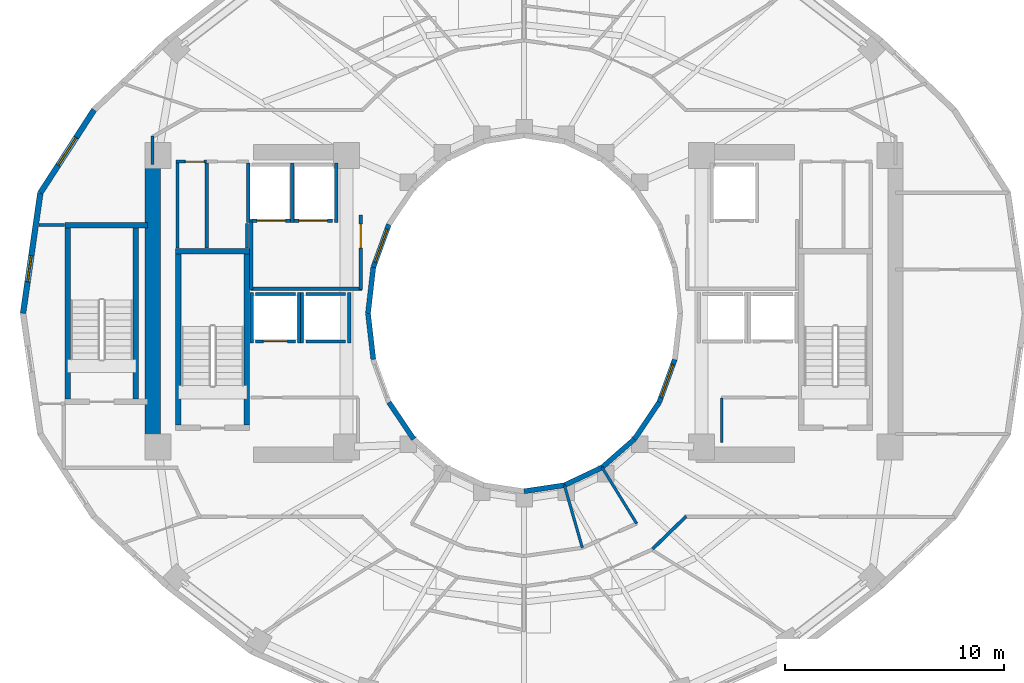
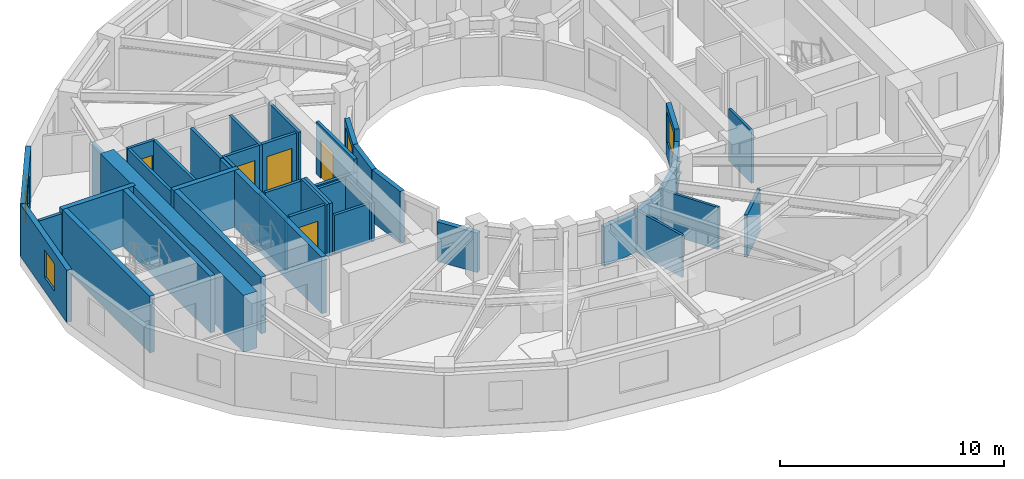
# One storey, part 4 of 9: 44 walls, 5 doors, 4 windows, 9 openings.
"""IFC4 building model written with IfcOpenShell, lengths in metres."""

from ifc_helpers import new_model, si_unit, direction, frame, frame_2d, origin, place, context, subcontext, project, spatial, rectangle, extrude, material, layer, layer_set, type_object, element, fill, save


model = new_model("IFC4")

# Units and contexts
model_context = context("Model", 3, precision=1e-05, world=origin(), true_north=direction((0.0, 1.0)))
body_context = subcontext(model_context, "Body", "Model", "MODEL_VIEW")
ifc_project = project(units=[si_unit("LENGTHUNIT", "METRE"), si_unit("AREAUNIT", "SQUARE_METRE"), si_unit("VOLUMEUNIT", "CUBIC_METRE"), si_unit("PLANEANGLEUNIT", "RADIAN"), si_unit("MASSUNIT", "GRAM", prefix="KILO")], contexts=[model_context])

# Site, building, storey
site_placement = place(None, origin())
site = spatial("IfcSite", under=ifc_project, at=site_placement, CompositionType="ELEMENT")
building_placement = place(site_placement, origin())
building = spatial("IfcBuilding", under=site, at=building_placement, Name="Solvane Sanctuary Tower", CompositionType="ELEMENT")
storey_placement = place(building_placement, frame((0.0, 0.0, 143.60009765625)))
storey = spatial("IfcBuildingStorey", under=building, at=storey_placement, Name="L43", CompositionType="ELEMENT", Elevation=143.60009765625)

# Walls
ifc_material_1 = material(Name="Concrete C60/75", Category="concrete")
ifc_layer_1 = layer(ifc_material_1, 0.699951171875, Name="Concrete C60/75")
ifc_layer_set_1 = layer_set([ifc_layer_1], Name="Concrete C60/75")
wall_type_1 = type_object("IfcWallType", Name="Wall W-CORE-700", PredefinedType="SHEAR", material=ifc_layer_set_1)
wall_1_placement = place(storey_placement, frame((15.050048828125, 17.050048828125, 0.0), z_axis=(0.0, 0.0, 1.0), x_axis=(0.0, 1.0, 0.0)))
element("IfcWall", 1, at=wall_1_placement, inside=storey, type_object=wall_type_1, Name="L43 Core Shear Wall WC-W", PredefinedType="SHEAR", context=body_context, shape_type="SweptSolid", body=[
    extrude(rectangle(XDim=12.800048828125, YDim=0.699951171875, at=frame_2d((6.39990234375, 0.0))), origin(), (0.0, 0.0, 1.0), 3.099853515625),
])
ifc_material_2 = material(Name="Acoustic Gypsum Partition Board")
ifc_layer_2 = layer(ifc_material_2, 0.14990234375, Name="Acoustic Gypsum Partition Board")
ifc_layer_set_2 = layer_set([ifc_layer_2], Name="Acoustic Gypsum Partition Board")
wall_type_2 = type_object("IfcWallType", Name="Wall W-CORR-150", PredefinedType="PARTITIONING", material=ifc_layer_set_2)
wall_2_placement = place(storey_placement, frame((19.52001953125, 24.1201171875, 0.0), z_axis=(0.0, 0.0, 1.0), x_axis=(1.0, 0.0, 0.0)))
element("IfcWall", 2, at=wall_2_placement, inside=storey, type_object=wall_type_2, Name="L43 West Firefighting Lobby South Wall", PredefinedType="PARTITIONING", context=body_context, shape_type="SweptSolid", body=[
    extrude(rectangle(XDim=5.080078125, YDim=0.14990234375, at=frame_2d((2.5400390625, 0.0))), origin(), (0.0, 0.0, 1.0), 2.119873046875),
])
wall_3_placement = place(storey_placement, frame((19.550048828125, 24.080078125, 0.0), z_axis=(0.0, 0.0, 1.0), x_axis=(0.0, 1.0, 0.0)))
element("IfcWall", 3, at=wall_3_placement, inside=storey, type_object=wall_type_2, Name="L43 West Firefighting Lobby West Wall", PredefinedType="PARTITIONING", context=body_context, shape_type="SweptSolid", body=[
    extrude(rectangle(XDim=3.199951171875, YDim=0.14990234375, at=frame_2d((1.60009765625, 0.0))), origin(), (0.0, 0.0, 1.0), 2.85498046875),
])

# Wall, opening, door
wall_4_placement = place(storey_placement, frame((24.550048828125, 24.080078125, 0.0), z_axis=(0.0, 0.0, 1.0), x_axis=(0.0, 1.0, 0.0)))
wall_4 = element("IfcWall", 4, at=wall_4_placement, inside=storey, type_object=wall_type_2, Name="L43 West Firefighting Lobby East Wall", PredefinedType="PARTITIONING", context=body_context, shape_type="SweptSolid", body=[
    extrude(rectangle(XDim=3.39990234375, YDim=0.14990234375, at=frame_2d((1.699951171875, 0.0))), origin(), (0.0, 0.0, 1.0), 2.85498046875),
])
opening_1_placement = place(wall_4_placement, frame((1.893798828125, 0.0, 0.0)))
opening_1 = element("IfcOpeningElement", 5, at=opening_1_placement, cuts=wall_4, Name="Opening D-L43-04", PredefinedType="OPENING", context=body_context, shape_type="SweptSolid", body=[
    extrude(rectangle(XDim=1.10009765625, YDim=2.10009765625, at=frame_2d((0.550048828125, 1.050048828125))), frame((0.0, 0.0849609375, 0.0), z_axis=(0.0, -1.0, 0.0), x_axis=(1.0, 0.0, 0.0)), (0.0, 0.0, 1.0), 0.169921875),
])
ifc_material_3 = material(Name="Architectural Stainless Steel 316", Category="steel")
door_type_1 = type_object("IfcDoorType", Name="Door D-FFL", OperationType="NOTDEFINED", PredefinedType="DOOR", material=ifc_material_3)
door_1_placement = place(opening_1_placement, origin())
door_1 = element("IfcDoor", 6, at=door_1_placement, inside=storey, type_object=door_type_1, Name="L43 West Firefighting Lobby Fire Door", OperationType="SINGLE_SWING_LEFT", OverallHeight=2.10009765625, OverallWidth=1.10009765625, PredefinedType="DOOR", context=body_context, shape_type="SweptSolid", body=[
    extrude(rectangle(XDim=1.10009765625, YDim=2.10009765625, at=frame_2d((0.550048828125, 1.050048828125))), frame((0.0, 0.02490234375, 0.0), z_axis=(0.0, -1.0, 0.0), x_axis=(1.0, 0.0, 0.0)), (0.0, 0.0, 1.0), 0.050048828125),
])
fill(opening_1, door_1)

# Walls
wall_5_placement = place(storey_placement, frame((9.869873046875, 27.030029296875, 0.0), z_axis=(0.0, 0.0, 1.0), x_axis=(1.0, 0.0, 0.0)))
element("IfcWall", 7, at=wall_5_placement, inside=storey, type_object=wall_type_2, Name="L43 NW Corner Closer 1", PredefinedType="PARTITIONING", context=body_context, shape_type="SweptSolid", body=[
    extrude(rectangle(XDim=1.170166015625, YDim=0.14990234375, at=frame_2d((0.5849609375, 0.0))), origin(), (0.0, 0.0, 1.0), 2.85498046875),
])
wall_6_placement = place(storey_placement, frame((15.050048828125, 29.800048828125, 0.0), z_axis=(0.0, 0.0, 1.0), x_axis=(0.0, 1.0, 0.0)))
element("IfcWall", 8, at=wall_6_placement, inside=storey, type_object=wall_type_2, Name="L43 NW Corner Closer 2", PredefinedType="PARTITIONING", context=body_context, shape_type="SweptSolid", body=[
    extrude(rectangle(XDim=1.2900390625, YDim=0.14990234375, at=frame_2d((0.64501953125, 0.0))), origin(), (0.0, 0.0, 1.0), 2.85498046875),
])
wall_7_placement = place(storey_placement, frame((37.867431640625, 12.251220703125, 0.0), z_axis=(0.0, 0.0, 1.0), x_axis=(0.717419568599, 0.696641344302, 0.0)))
element("IfcWall", 9, at=wall_7_placement, inside=storey, type_object=wall_type_2, Name="L43 SE Corner Throat Wall", PredefinedType="PARTITIONING", context=body_context, shape_type="SweptSolid", body=[
    extrude(rectangle(XDim=2.138427734375, YDim=0.14990234375, at=frame_2d((1.0693359375, 0.0))), origin(), (0.0, 0.0, 1.0), 2.298828125),
])

# Wall, opening, window
ifc_material_4 = material(Name="Precast concrete C40/50", Category="concrete")
ifc_layer_3 = layer(ifc_material_4, 0.260009765625, Name="Precast concrete C40/50")
ifc_layer_set_3 = layer_set([ifc_layer_3], Name="Precast concrete C40/50")
wall_type_3 = type_object("IfcWallType", Name="Wall W-EXT-250", PredefinedType="STANDARD", material=ifc_layer_set_3)
wall_8_placement = place(storey_placement, frame((12.380859375, 32.28369140625, 0.0), z_axis=(0.0, 0.0, 1.0), x_axis=(-0.543358984534, -0.839500454989, 0.0)))
wall_8 = element("IfcWall", 10, at=wall_8_placement, inside=storey, type_object=wall_type_3, Name="L43 Ceramic-Printed Facade Wall 10", PredefinedType="STANDARD", context=body_context, shape_type="SweptSolid", body=[
    extrude(rectangle(XDim=4.51123046875, YDim=0.260009765625, at=frame_2d((2.255615234375, 0.0))), origin(), (0.0, 0.0, 1.0), 2.849853515625),
])
opening_2_placement = place(wall_8_placement, frame((1.505615234375, 0.0, 0.75)))
opening_2 = element("IfcOpeningElement", 11, at=opening_2_placement, cuts=wall_8, Name="Opening WN-OPER-1500", PredefinedType="OPENING", context=body_context, shape_type="SweptSolid", body=[
    extrude(rectangle(XDim=1.5, YDim=1.60009765625, at=frame_2d((0.75, 0.800048828125))), frame((0.0, 0.139892578125, 0.0), z_axis=(0.0, -1.0, 0.0), x_axis=(1.0, 0.0, 0.0)), (0.0, 0.0, 1.0), 0.280029296875),
])
ifc_material_5 = material(Name="Dark Ceramic-Fritted Low-E Glass", Category="glass")
window_type_1 = type_object("IfcWindowType", Name="Window WN-OPER-1500", PartitioningType="SINGLE_PANEL", PredefinedType="WINDOW", material=ifc_material_5)
window_1_placement = place(opening_2_placement, origin())
window_1 = element("IfcWindow", 12, at=window_1_placement, inside=storey, type_object=window_type_1, Name="L43 Operable Facade Window 10", OverallHeight=1.60009765625, OverallWidth=1.5, PartitioningType="SINGLE_PANEL", PredefinedType="WINDOW", context=body_context, shape_type="SweptSolid", body=[
    extrude(rectangle(XDim=1.5, YDim=1.60009765625, at=frame_2d((0.75, 0.800048828125))), frame((0.0, 0.030029296875, 0.0), z_axis=(0.0, -1.0, 0.0), x_axis=(1.0, 0.0, 0.0)), (0.0, 0.0, 1.0), 0.06005859375),
])
fill(opening_2, window_1)

wall_9_placement = place(storey_placement, frame((9.9296875, 28.49658203125, 0.0), z_axis=(0.0, 0.0, 1.0), x_axis=(-0.142227632286, -0.989833976288, 0.0)))
wall_9 = element("IfcWall", 13, at=wall_9_placement, inside=storey, type_object=wall_type_3, Name="L43 Ceramic-Printed Facade Wall 11", PredefinedType="STANDARD", context=body_context, shape_type="SweptSolid", body=[
    extrude(rectangle(XDim=5.552978515625, YDim=0.260009765625, at=frame_2d((2.7763671875, 0.0))), origin(), (0.0, 0.0, 1.0), 2.849853515625),
])
opening_3_placement = place(wall_9_placement, frame((2.892333984375, 0.0, 0.75)))
opening_3 = element("IfcOpeningElement", 14, at=opening_3_placement, cuts=wall_9, Name="Opening WN-OPER-1200", PredefinedType="OPENING", context=body_context, shape_type="SweptSolid", body=[
    extrude(rectangle(XDim=1.199951171875, YDim=1.5, at=frame_2d((0.60009765625, 0.75))), frame((0.0, 0.139892578125, 0.0), z_axis=(0.0, -1.0, 0.0), x_axis=(1.0, 0.0, 0.0)), (0.0, 0.0, 1.0), 0.280029296875),
])
window_type_2 = type_object("IfcWindowType", Name="Window WN-OPER-1200", PartitioningType="SINGLE_PANEL", PredefinedType="WINDOW", material=ifc_material_5)
window_2_placement = place(opening_3_placement, origin())
window_2 = element("IfcWindow", 15, at=window_2_placement, inside=storey, type_object=window_type_2, Name="L43 Operable Facade Window 11", OverallHeight=1.5, OverallWidth=1.199951171875, PartitioningType="SINGLE_PANEL", PredefinedType="WINDOW", context=body_context, shape_type="SweptSolid", body=[
    extrude(rectangle(XDim=1.199951171875, YDim=1.5, at=frame_2d((0.60009765625, 0.75))), frame((0.0, 0.030029296875, 0.0), z_axis=(0.0, -1.0, 0.0), x_axis=(1.0, 0.0, 0.0)), (0.0, 0.0, 1.0), 0.06005859375),
])
fill(opening_3, window_2)

ifc_layer_4 = layer(ifc_material_4, 0.22998046875, Name="Precast concrete C40/50")
ifc_layer_set_4 = layer_set([ifc_layer_4], Name="Precast concrete C40/50")
wall_type_4 = type_object("IfcWallType", Name="Wall W-EXT-SP220", PredefinedType="STANDARD", material=ifc_layer_set_4)
wall_10_placement = place(storey_placement, frame((25.833984375, 27.06005859375, 0.0), z_axis=(0.0, 0.0, 1.0), x_axis=(-0.341423187295, -0.93990968033, 0.0)))
wall_10 = element("IfcWall", 16, at=wall_10_placement, inside=storey, type_object=wall_type_4, Name="L43 Central Light-Well Wall 10", PredefinedType="STANDARD", context=body_context, shape_type="SweptSolid", body=[
    extrude(rectangle(XDim=2.083740234375, YDim=0.22998046875, at=frame_2d((1.0419921875, 0.0))), origin(), (0.0, 0.0, 1.0), 2.83984375),
])
opening_4_placement = place(wall_10_placement, frame((0.24169921875, 0.0, 0.85009765625)))
opening_4 = element("IfcOpeningElement", 17, at=opening_4_placement, cuts=wall_10, Name="Opening WN-WELL-1600", PredefinedType="OPENING", context=body_context, shape_type="SweptSolid", body=[
    extrude(rectangle(XDim=1.60009765625, YDim=1.64990234375, at=frame_2d((0.800048828125, 0.824951171875))), frame((0.0, 0.125, 0.0), z_axis=(0.0, -1.0, 0.0), x_axis=(1.0, 0.0, 0.0)), (0.0, 0.0, 1.0), 0.25),
])
ifc_material_6 = material(Name="Clear Laminated Light-Well Glass", Category="glass")
window_type_3 = type_object("IfcWindowType", Name="Window WN-WELL-1600", PartitioningType="SINGLE_PANEL", PredefinedType="WINDOW", material=ifc_material_6)
window_3_placement = place(opening_4_placement, origin())
window_3 = element("IfcWindow", 18, at=window_3_placement, inside=storey, type_object=window_type_3, Name="L43 Light-Well Daylight Window 10", OverallHeight=1.64990234375, OverallWidth=1.60009765625, PartitioningType="SINGLE_PANEL", PredefinedType="WINDOW", context=body_context, shape_type="SweptSolid", body=[
    extrude(rectangle(XDim=1.60009765625, YDim=1.64990234375, at=frame_2d((0.800048828125, 0.824951171875))), frame((0.0, 0.030029296875, 0.0), z_axis=(0.0, -1.0, 0.0), x_axis=(1.0, 0.0, 0.0)), (0.0, 0.0, 1.0), 0.06005859375),
])
fill(opening_4, window_3)

# Walls
for number, where, z_axis, x_axis, name in (
    (19, (25.12255859375, 25.1015625, 0.0), (0.0, 0.0, 1.0), (-0.114711713601, -0.993398823617, 0.0), "L43 Central Light-Well Wall 11"),
    (20, (24.8798828125, 23.0, 0.0), (0.0, 0.0, 1.0), (0.114711713601, -0.993398823617, 0.0), "L43 Central Light-Well Wall 12"),
):
    element("IfcWall", number, at=place(storey_placement, frame(where, z_axis=z_axis, x_axis=x_axis)), inside=storey, type_object=wall_type_4, Name=name, PredefinedType="STANDARD", context=body_context, shape_type="SweptSolid", body=[
        extrude(rectangle(XDim=2.115478515625, YDim=0.22998046875, at=frame_2d((1.0576171875, 0.0))), origin(), (0.0, 0.0, 1.0), 2.83984375),
    ])
wall_11_placement = place(storey_placement, frame((25.833984375, 18.93994140625, 0.0), z_axis=(0.0, 0.0, 1.0), x_axis=(0.558197800898, -0.829707909492, 0.0)))
element("IfcWall", 21, at=wall_11_placement, inside=storey, type_object=wall_type_4, Name="L43 Central Light-Well Wall 14", PredefinedType="STANDARD", context=body_context, shape_type="SweptSolid", body=[
    extrude(rectangle(XDim=2.02685546875, YDim=0.22998046875, at=frame_2d((1.013427734375, 0.0))), origin(), (0.0, 0.0, 1.0), 2.159912109375),
])
wall_12_placement = place(storey_placement, frame((32.0, 14.8798828125, 0.0), z_axis=(0.0, 0.0, 1.0), x_axis=(0.988901730308, 0.148571086668, 0.0)))
element("IfcWall", 22, at=wall_12_placement, inside=storey, type_object=wall_type_4, Name="L43 Central Light-Well Wall 18", PredefinedType="STANDARD", context=body_context, shape_type="SweptSolid", body=[
    extrude(rectangle(XDim=1.863525390625, YDim=0.22998046875, at=frame_2d((0.931640625, 0.0))), origin(), (0.0, 0.0, 1.0), 2.159912109375),
])
wall_13_placement = place(storey_placement, frame((33.8427734375, 15.15673828125, 0.0), z_axis=(0.0, 0.0, 1.0), x_axis=(0.904179699603, 0.427152280606, 0.0)))
element("IfcWall", 23, at=wall_13_placement, inside=storey, type_object=wall_type_4, Name="L43 Central Light-Well Wall 19", PredefinedType="STANDARD", context=body_context, shape_type="SweptSolid", body=[
    extrude(rectangle(XDim=1.899169921875, YDim=0.22998046875, at=frame_2d((0.94970703125, 0.0))), origin(), (0.0, 0.0, 1.0), 2.159912109375),
])
wall_14_placement = place(storey_placement, frame((35.56005859375, 15.968017578125, 0.0), z_axis=(0.0, 0.0, 1.0), x_axis=(0.752576694707, 0.658504607869, 0.0)))
element("IfcWall", 24, at=wall_14_placement, inside=storey, type_object=wall_type_4, Name="L43 Central Light-Well Wall 20", PredefinedType="STANDARD", context=body_context, shape_type="SweptSolid", body=[
    extrude(rectangle(XDim=1.95947265625, YDim=0.22998046875, at=frame_2d((0.979736328125, 0.0))), origin(), (0.0, 0.0, 1.0), 2.159912109375),
])
wall_15_placement = place(storey_placement, frame((37.03466796875, 17.25830078125, 0.0), z_axis=(0.0, 0.0, 1.0), x_axis=(0.558197800898, 0.829707909492, 0.0)))
element("IfcWall", 25, at=wall_15_placement, inside=storey, type_object=wall_type_4, Name="L43 Central Light-Well Wall 21", PredefinedType="STANDARD", context=body_context, shape_type="SweptSolid", body=[
    extrude(rectangle(XDim=2.02685546875, YDim=0.22998046875, at=frame_2d((1.013427734375, 0.0))), origin(), (0.0, 0.0, 1.0), 2.159912109375),
])

# Wall, opening, window
wall_16_placement = place(storey_placement, frame((38.166015625, 18.93994140625, 0.0), z_axis=(0.0, 0.0, 1.0), x_axis=(0.341423187295, 0.93990968033, 0.0)))
wall_16 = element("IfcWall", 26, at=wall_16_placement, inside=storey, type_object=wall_type_4, Name="L43 Central Light-Well Wall 22", PredefinedType="STANDARD", context=body_context, shape_type="SweptSolid", body=[
    extrude(rectangle(XDim=2.083740234375, YDim=0.22998046875, at=frame_2d((1.0419921875, 0.0))), origin(), (0.0, 0.0, 1.0), 2.83984375),
])
opening_5_placement = place(wall_16_placement, frame((0.24169921875, 0.0, 0.85009765625)))
opening_5 = element("IfcOpeningElement", 27, at=opening_5_placement, cuts=wall_16, Name="Opening WN-WELL-1600", PredefinedType="OPENING", context=body_context, shape_type="SweptSolid", body=[
    extrude(rectangle(XDim=1.60009765625, YDim=1.64990234375, at=frame_2d((0.800048828125, 0.824951171875))), frame((0.0, 0.125, 0.0), z_axis=(0.0, -1.0, 0.0), x_axis=(1.0, 0.0, 0.0)), (0.0, 0.0, 1.0), 0.25),
])
window_4_placement = place(opening_5_placement, origin())
window_4 = element("IfcWindow", 28, at=window_4_placement, inside=storey, type_object=window_type_3, Name="L43 Light-Well Daylight Window 22", OverallHeight=1.64990234375, OverallWidth=1.60009765625, PartitioningType="SINGLE_PANEL", PredefinedType="WINDOW", context=body_context, shape_type="SweptSolid", body=[
    extrude(rectangle(XDim=1.60009765625, YDim=1.64990234375, at=frame_2d((0.800048828125, 0.824951171875))), frame((0.0, 0.030029296875, 0.0), z_axis=(0.0, -1.0, 0.0), x_axis=(1.0, 0.0, 0.0)), (0.0, 0.0, 1.0), 0.06005859375),
])
fill(opening_5, window_4)

# Walls
ifc_layer_5 = layer(ifc_material_2, 0.125, Name="Acoustic Gypsum Partition Board")
ifc_layer_set_5 = layer_set([ifc_layer_5], Name="Acoustic Gypsum Partition Board")
wall_type_5 = type_object("IfcWallType", Name="Wall W-PART-125", PredefinedType="PARTITIONING", material=ifc_layer_set_5)
wall_17_placement = place(storey_placement, frame((41.02001953125, 17.10009765625, 0.0), z_axis=(0.0, 0.0, 1.0), x_axis=(0.0, 1.0, 0.0)))
element("IfcWall", 29, at=wall_17_placement, inside=storey, type_object=wall_type_5, Name="L43 Reclaimed Room Closer Wall PLE-1", PredefinedType="PARTITIONING", context=body_context, shape_type="SweptSolid", body=[
    extrude(rectangle(XDim=2.039794921875, YDim=0.125, at=frame_2d((1.02001953125, 0.0))), origin(), (0.0, 0.0, 1.0), 2.85498046875),
])
wall_18_placement = place(storey_placement, frame((33.837646484375, 15.176025390625, 0.0), z_axis=(0.0, 0.0, 1.0), x_axis=(0.274947609893, -0.961459209647, 0.0)))
element("IfcWall", 30, at=wall_18_placement, inside=storey, type_object=wall_type_5, Name="L43 Inner Light-Well Radial Wall 285", PredefinedType="PARTITIONING", context=body_context, shape_type="SweptSolid", body=[
    extrude(rectangle(XDim=2.98974609375, YDim=0.125, at=frame_2d((1.494873046875, 0.0))), origin(), (0.0, 0.0, 1.0), 2.298828125),
])
wall_19_placement = place(storey_placement, frame((35.550048828125, 15.985107421875, 0.0), z_axis=(0.0, 0.0, 1.0), x_axis=(0.524565340045, -0.851370192116, 0.0)))
element("IfcWall", 31, at=wall_19_placement, inside=storey, type_object=wall_type_5, Name="L43 Inner Light-Well Radial Wall 300", PredefinedType="PARTITIONING", context=body_context, shape_type="SweptSolid", body=[
    extrude(rectangle(XDim=3.027099609375, YDim=0.125, at=frame_2d((1.513671875, 0.0))), origin(), (0.0, 0.0, 1.0), 2.298828125),
])

# Wall, opening, door
ifc_material_7 = material(Name="Concrete C50/60", Category="concrete")
ifc_layer_6 = layer(ifc_material_7, 0.14990234375, Name="Concrete C50/60")
ifc_layer_set_6 = layer_set([ifc_layer_6], Name="Concrete C50/60")
wall_type_6 = type_object("IfcWallType", Name="Wall W-SHAFT-150", PredefinedType="SOLIDWALL", material=ifc_layer_set_6)
wall_20_placement = place(storey_placement, frame((19.739990234375, 21.719970703125, 0.0), z_axis=(0.0, 0.0, 1.0), x_axis=(1.0, 0.0, 0.0)))
wall_20 = element("IfcWall", 32, at=wall_20_placement, inside=storey, type_object=wall_type_6, Name="L43 PM-1 Lift Shaft Wall F", PredefinedType="SOLIDWALL", context=body_context, shape_type="SweptSolid", body=[
    extrude(rectangle(XDim=1.820068359375, YDim=0.14990234375, at=frame_2d((0.91015625, 0.0))), origin(), (0.0, 0.0, 1.0), 2.85498046875),
])
opening_6_placement = place(wall_20_placement, frame((0.360107421875, 0.0, 0.0)))
opening_6 = element("IfcOpeningElement", 33, at=opening_6_placement, cuts=wall_20, Name="Opening LD-L43-01", PredefinedType="OPENING", context=body_context, shape_type="SweptSolid", body=[
    extrude(rectangle(XDim=1.10009765625, YDim=2.10009765625, at=frame_2d((0.550048828125, 1.050048828125))), frame((0.0, 0.0849609375, 0.0), z_axis=(0.0, -1.0, 0.0), x_axis=(1.0, 0.0, 0.0)), (0.0, 0.0, 1.0), 0.169921875),
])
door_type_2 = type_object("IfcDoorType", Name="Door LD-PASS-1100", OperationType="NOTDEFINED", PredefinedType="DOOR", material=ifc_material_3)
door_2_placement = place(opening_6_placement, origin())
door_2 = element("IfcDoor", 34, at=door_2_placement, inside=storey, type_object=door_type_2, Name="L43 PM-1 Lift Landing Door", OperationType="DOUBLE_DOOR_SLIDING", OverallHeight=2.10009765625, OverallWidth=1.10009765625, PredefinedType="DOOR", context=body_context, shape_type="SweptSolid", body=[
    extrude(rectangle(XDim=1.10009765625, YDim=2.10009765625, at=frame_2d((0.550048828125, 1.050048828125))), frame((0.0, 0.02490234375, 0.0), z_axis=(0.0, -1.0, 0.0), x_axis=(1.0, 0.0, 0.0)), (0.0, 0.0, 1.0), 0.050048828125),
])
fill(opening_6, door_2)

# Walls
wall_21_placement = place(storey_placement, frame((19.739990234375, 23.8798828125, 0.0), z_axis=(0.0, 0.0, 1.0), x_axis=(1.0, 0.0, 0.0)))
element("IfcWall", 35, at=wall_21_placement, inside=storey, type_object=wall_type_6, Name="L43 PM-1 Lift Shaft Wall B", PredefinedType="SOLIDWALL", context=body_context, shape_type="SweptSolid", body=[
    extrude(rectangle(XDim=1.820068359375, YDim=0.14990234375, at=frame_2d((0.91015625, 0.0))), origin(), (0.0, 0.0, 1.0), 2.85498046875),
])
for number, where, z_axis, x_axis, name in (
    (36, (19.570068359375, 21.639892578125, 0.0), (0.0, 0.0, 1.0), (0.0, 1.0, 0.0), "L43 PM-1 Lift Shaft Wall S1"),
    (37, (21.72998046875, 21.639892578125, 0.0), (0.0, 0.0, 1.0), (0.0, 1.0, 0.0), "L43 PM-1 Lift Shaft Wall S2"),
):
    element("IfcWall", number, at=place(storey_placement, frame(where, z_axis=z_axis, x_axis=x_axis)), inside=storey, type_object=wall_type_6, Name=name, PredefinedType="SOLIDWALL", context=body_context, shape_type="SweptSolid", body=[
        extrude(rectangle(XDim=2.320068359375, YDim=0.14990234375, at=frame_2d((1.16015625, 0.0))), origin(), (0.0, 0.0, 1.0), 2.85498046875),
    ])
for number, where, z_axis, x_axis, name in (
    (38, (22.0400390625, 21.719970703125, 0.0), (0.0, 0.0, 1.0), (1.0, 0.0, 0.0), "L43 PH-1 Lift Shaft Wall F"),
    (39, (22.0400390625, 23.8798828125, 0.0), (0.0, 0.0, 1.0), (1.0, 0.0, 0.0), "L43 PH-1 Lift Shaft Wall B"),
):
    element("IfcWall", number, at=place(storey_placement, frame(where, z_axis=z_axis, x_axis=x_axis)), inside=storey, type_object=wall_type_6, Name=name, PredefinedType="SOLIDWALL", context=body_context, shape_type="SweptSolid", body=[
        extrude(rectangle(XDim=1.820068359375, YDim=0.14990234375, at=frame_2d((0.91015625, 0.0))), origin(), (0.0, 0.0, 1.0), 2.119873046875),
    ])
wall_22_placement = place(storey_placement, frame((21.8701171875, 21.639892578125, 0.0), z_axis=(0.0, 0.0, 1.0), x_axis=(0.0, 1.0, 0.0)))
element("IfcWall", 40, at=wall_22_placement, inside=storey, type_object=wall_type_6, Name="L43 PH-1 Lift Shaft Wall S1", PredefinedType="SOLIDWALL", context=body_context, shape_type="SweptSolid", body=[
    extrude(rectangle(XDim=2.320068359375, YDim=0.14990234375, at=frame_2d((1.16015625, 0.0))), origin(), (0.0, 0.0, 1.0), 2.85498046875),
])
wall_23_placement = place(storey_placement, frame((24.030029296875, 21.639892578125, 0.0), z_axis=(0.0, 0.0, 1.0), x_axis=(0.0, 1.0, 0.0)))
element("IfcWall", 41, at=wall_23_placement, inside=storey, type_object=wall_type_6, Name="L43 PH-1 Lift Shaft Wall S2", PredefinedType="SOLIDWALL", context=body_context, shape_type="SweptSolid", body=[
    extrude(rectangle(XDim=2.320068359375, YDim=0.14990234375, at=frame_2d((1.16015625, 0.0))), origin(), (0.0, 0.0, 1.0), 2.119873046875),
])

# Wall, opening, door
wall_24_placement = place(storey_placement, frame((19.590087890625, 27.219970703125, 0.0), z_axis=(0.0, 0.0, 1.0), x_axis=(1.0, 0.0, 0.0)))
wall_24 = element("IfcWall", 42, at=wall_24_placement, inside=storey, type_object=wall_type_6, Name="L43 FFL-1 Lift Shaft Wall F", PredefinedType="SOLIDWALL", context=body_context, shape_type="SweptSolid", body=[
    extrude(rectangle(XDim=1.760009765625, YDim=0.14990234375, at=frame_2d((0.8798828125, 0.0))), origin(), (0.0, 0.0, 1.0), 2.85498046875),
])
opening_7_placement = place(wall_24_placement, frame((0.22998046875, 0.0, 0.0)))
opening_7 = element("IfcOpeningElement", 43, at=opening_7_placement, cuts=wall_24, Name="Opening LD-L43-03", PredefinedType="OPENING", context=body_context, shape_type="SweptSolid", body=[
    extrude(rectangle(XDim=1.300048828125, YDim=2.10009765625, at=frame_2d((0.64990234375, 1.050048828125))), frame((0.0, 0.0849609375, 0.0), z_axis=(0.0, -1.0, 0.0), x_axis=(1.0, 0.0, 0.0)), (0.0, 0.0, 1.0), 0.169921875),
])
door_type_3 = type_object("IfcDoorType", Name="Door LD-FFL-1300", OperationType="NOTDEFINED", PredefinedType="DOOR", material=ifc_material_3)
door_3_placement = place(opening_7_placement, origin())
door_3 = element("IfcDoor", 44, at=door_3_placement, inside=storey, type_object=door_type_3, Name="L43 FFL-1 Lift Landing Door", OperationType="DOUBLE_DOOR_SLIDING", OverallHeight=2.10009765625, OverallWidth=1.300048828125, PredefinedType="DOOR", context=body_context, shape_type="SweptSolid", body=[
    extrude(rectangle(XDim=1.300048828125, YDim=2.10009765625, at=frame_2d((0.64990234375, 1.050048828125))), frame((0.0, 0.02490234375, 0.0), z_axis=(0.0, -1.0, 0.0), x_axis=(1.0, 0.0, 0.0)), (0.0, 0.0, 1.0), 0.050048828125),
])
fill(opening_7, door_3)

# Walls
for number, where, z_axis, x_axis, name in (
    (45, (19.419921875, 27.139892578125, 0.0), (0.0, 0.0, 1.0), (0.0, 1.0, 0.0), "L43 FFL-1 Lift Shaft Wall S1"),
    (46, (21.425048828125, 27.139892578125, 0.0), (0.0, 0.0, 1.0), (0.0, 1.0, 0.0), "L43 FFL-1 Lift Shaft Wall S2"),
):
    element("IfcWall", number, at=place(storey_placement, frame(where, z_axis=z_axis, x_axis=x_axis)), inside=storey, type_object=wall_type_6, Name=name, PredefinedType="SOLIDWALL", context=body_context, shape_type="SweptSolid", body=[
        extrude(rectangle(XDim=2.72021484375, YDim=0.14990234375, at=frame_2d((1.360107421875, 0.0))), origin(), (0.0, 0.0, 1.0), 2.85498046875),
    ])

# Wall, opening, door
wall_25_placement = place(storey_placement, frame((21.5, 27.219970703125, 0.0), z_axis=(0.0, 0.0, 1.0), x_axis=(1.0, 0.0, 0.0)))
wall_25 = element("IfcWall", 47, at=wall_25_placement, inside=storey, type_object=wall_type_6, Name="L43 SVL-1 Lift Shaft Wall F", PredefinedType="SOLIDWALL", context=body_context, shape_type="SweptSolid", body=[
    extrude(rectangle(XDim=1.760009765625, YDim=0.14990234375, at=frame_2d((0.8798828125, 0.0))), origin(), (0.0, 0.0, 1.0), 2.85498046875),
])
opening_8_placement = place(wall_25_placement, frame((0.22998046875, 0.0, 0.0)))
opening_8 = element("IfcOpeningElement", 48, at=opening_8_placement, cuts=wall_25, Name="Opening LD-L43-04", PredefinedType="OPENING", context=body_context, shape_type="SweptSolid", body=[
    extrude(rectangle(XDim=1.300048828125, YDim=2.10009765625, at=frame_2d((0.64990234375, 1.050048828125))), frame((0.0, 0.0849609375, 0.0), z_axis=(0.0, -1.0, 0.0), x_axis=(1.0, 0.0, 0.0)), (0.0, 0.0, 1.0), 0.169921875),
])
door_4_placement = place(opening_8_placement, origin())
door_4 = element("IfcDoor", 49, at=door_4_placement, inside=storey, type_object=door_type_3, Name="L43 SVL-1 Lift Landing Door", OperationType="DOUBLE_DOOR_SLIDING", OverallHeight=2.10009765625, OverallWidth=1.300048828125, PredefinedType="DOOR", context=body_context, shape_type="SweptSolid", body=[
    extrude(rectangle(XDim=1.300048828125, YDim=2.10009765625, at=frame_2d((0.64990234375, 1.050048828125))), frame((0.0, 0.02490234375, 0.0), z_axis=(0.0, -1.0, 0.0), x_axis=(1.0, 0.0, 0.0)), (0.0, 0.0, 1.0), 0.050048828125),
])
fill(opening_8, door_4)

# Walls
wall_26_placement = place(storey_placement, frame((23.429931640625, 27.139892578125, 0.0), z_axis=(0.0, 0.0, 1.0), x_axis=(0.0, 1.0, 0.0)))
element("IfcWall", 50, at=wall_26_placement, inside=storey, type_object=wall_type_6, Name="L43 SVL-1 Lift Shaft Wall S2", PredefinedType="SOLIDWALL", context=body_context, shape_type="SweptSolid", body=[
    extrude(rectangle(XDim=2.72021484375, YDim=0.14990234375, at=frame_2d((1.360107421875, 0.0))), origin(), (0.0, 0.0, 1.0), 2.85498046875),
])
ifc_layer_7 = layer(ifc_material_7, 0.25, Name="Concrete C50/60")
ifc_layer_set_7 = layer_set([ifc_layer_7], Name="Concrete C50/60")
wall_type_7 = type_object("IfcWallType", Name="Wall W-SHAFT-250", PredefinedType="SOLIDWALL", material=ifc_layer_set_7)
wall_27_placement = place(storey_placement, frame((16.10498046875, 25.830078125, 0.0), z_axis=(0.0, 0.0, 1.0), x_axis=(1.0, 0.0, 0.0)))
element("IfcWall", 51, at=wall_27_placement, inside=storey, type_object=wall_type_7, Name="L43 ST-1 Load-Bearing Shaft Wall N", PredefinedType="SOLIDWALL", context=body_context, shape_type="SweptSolid", body=[
    extrude(rectangle(XDim=3.3701171875, YDim=0.25, at=frame_2d((1.68505859375, 0.0))), origin(), (0.0, 0.0, 1.0), 3.099853515625),
])
for number, where, z_axis, x_axis, name in (
    (52, (16.22998046875, 17.89501953125, 0.0), (0.0, 0.0, 1.0), (0.0, 1.0, 0.0), "L43 ST-1 Load-Bearing Shaft Wall W"),
    (53, (19.35009765625, 17.89501953125, 0.0), (0.0, 0.0, 1.0), (0.0, 1.0, 0.0), "L43 ST-1 Load-Bearing Shaft Wall E"),
):
    element("IfcWall", number, at=place(storey_placement, frame(where, z_axis=z_axis, x_axis=x_axis)), inside=storey, type_object=wall_type_7, Name=name, PredefinedType="SOLIDWALL", context=body_context, shape_type="SweptSolid", body=[
        extrude(rectangle(XDim=7.81005859375, YDim=0.25, at=frame_2d((3.905029296875, 0.0))), origin(), (0.0, 0.0, 1.0), 3.099853515625),
    ])
wall_28_placement = place(storey_placement, frame((11.044921875, 27.030029296875, 0.0), z_axis=(0.0, 0.0, 1.0), x_axis=(1.0, 0.0, 0.0)))
element("IfcWall", 54, at=wall_28_placement, inside=storey, type_object=wall_type_7, Name="L43 ST-3 Load-Bearing Shaft Wall N", PredefinedType="SOLIDWALL", context=body_context, shape_type="SweptSolid", body=[
    extrude(rectangle(XDim=3.781982421875, YDim=0.25, at=frame_2d((1.89111328125, 0.0))), origin(), (0.0, 0.0, 1.0), 3.099853515625),
])
for number, where, z_axis, x_axis, name in (
    (55, (11.169921875, 19.094970703125, 0.0), (0.0, 0.0, 1.0), (0.0, 1.0, 0.0), "L43 ST-3 Load-Bearing Shaft Wall W"),
    (56, (14.2900390625, 19.094970703125, 0.0), (0.0, 0.0, 1.0), (0.0, 1.0, 0.0), "L43 ST-3 Load-Bearing Shaft Wall E"),
):
    element("IfcWall", number, at=place(storey_placement, frame(where, z_axis=z_axis, x_axis=x_axis)), inside=storey, type_object=wall_type_7, Name=name, PredefinedType="SOLIDWALL", context=body_context, shape_type="SweptSolid", body=[
        extrude(rectangle(XDim=7.81005859375, YDim=0.25, at=frame_2d((3.905029296875, 0.0))), origin(), (0.0, 0.0, 1.0), 3.099853515625),
    ])

# Wall, opening, door
ifc_layer_8 = layer(ifc_material_2, 0.139892578125, Name="Acoustic Gypsum Partition Board")
ifc_layer_set_8 = layer_set([ifc_layer_8], Name="Acoustic Gypsum Partition Board")
wall_type_8 = type_object("IfcWallType", Name="Wall W-WET-140", PredefinedType="PLUMBINGWALL", material=ifc_layer_set_8)
wall_29_placement = place(storey_placement, frame((16.1201171875, 29.919921875, 0.0), z_axis=(0.0, 0.0, 1.0), x_axis=(1.0, 0.0, 0.0)))
wall_29 = element("IfcWall", 57, at=wall_29_placement, inside=storey, type_object=wall_type_8, Name="L43 Core Service Front Wall KW1", PredefinedType="PLUMBINGWALL", context=body_context, shape_type="SweptSolid", body=[
    extrude(rectangle(XDim=1.39990234375, YDim=0.139892578125, at=frame_2d((0.699951171875, 0.0))), origin(), (0.0, 0.0, 1.0), 2.85498046875),
])
opening_9_placement = place(wall_29_placement, frame((0.429931640625, 0.0, 0.0)))
opening_9 = element("IfcOpeningElement", 58, at=opening_9_placement, cuts=wall_29, Name="Opening D-L43-08", PredefinedType="OPENING", context=body_context, shape_type="SweptSolid", body=[
    extrude(rectangle(XDim=0.85009765625, YDim=2.050048828125, at=frame_2d((0.425048828125, 1.02490234375))), frame((0.0, 0.079833984375, 0.0), z_axis=(0.0, -1.0, 0.0), x_axis=(1.0, 0.0, 0.0)), (0.0, 0.0, 1.0), 0.159912109375),
])
door_type_4 = type_object("IfcDoorType", Name="Door D-RISER", OperationType="NOTDEFINED", PredefinedType="DOOR", material=ifc_material_3)
door_5_placement = place(opening_9_placement, origin())
door_5 = element("IfcDoor", 59, at=door_5_placement, inside=storey, type_object=door_type_4, Name="L43 Core Service Room Door KW1-1", OperationType="SINGLE_SWING_LEFT", OverallHeight=2.050048828125, OverallWidth=0.85009765625, PredefinedType="DOOR", context=body_context, shape_type="SweptSolid", body=[
    extrude(rectangle(XDim=0.85009765625, YDim=2.050048828125, at=frame_2d((0.425048828125, 1.02490234375))), frame((0.0, 0.02490234375, 0.0), z_axis=(0.0, -1.0, 0.0), x_axis=(1.0, 0.0, 0.0)), (0.0, 0.0, 1.0), 0.050048828125),
])
fill(opening_9, door_5)

# Walls
for number, where, z_axis, x_axis, name in (
    (60, (16.179931640625, 25.97998046875, 0.0), (0.0, 0.0, 1.0), (0.0, 1.0, 0.0), "L43 Core Service Side Wall KW1-1"),
    (61, (17.52001953125, 25.97998046875, 0.0), (0.0, 0.0, 1.0), (0.0, 1.0, 0.0), "L43 Core Service Side Wall KW1-2"),
):
    element("IfcWall", number, at=place(storey_placement, frame(where, z_axis=z_axis, x_axis=x_axis)), inside=storey, type_object=wall_type_8, Name=name, PredefinedType="PLUMBINGWALL", context=body_context, shape_type="SweptSolid", body=[
        extrude(rectangle(XDim=3.880126953125, YDim=0.139892578125, at=frame_2d((1.93994140625, 0.0))), origin(), (0.0, 0.0, 1.0), 2.85498046875),
    ])
wall_30_placement = place(storey_placement, frame((19.360107421875, 25.97998046875, 0.0), z_axis=(0.0, 0.0, 1.0), x_axis=(0.0, 1.0, 0.0)))
element("IfcWall", 62, at=wall_30_placement, inside=storey, type_object=wall_type_8, Name="L43 Core Service Side Wall KW2-1", PredefinedType="PLUMBINGWALL", context=body_context, shape_type="SweptSolid", body=[
    extrude(rectangle(XDim=1.1201171875, YDim=0.139892578125, at=frame_2d((0.56005859375, 0.0))), origin(), (0.0, 0.0, 1.0), 2.85498046875),
])

save(model, "model.ifc")
